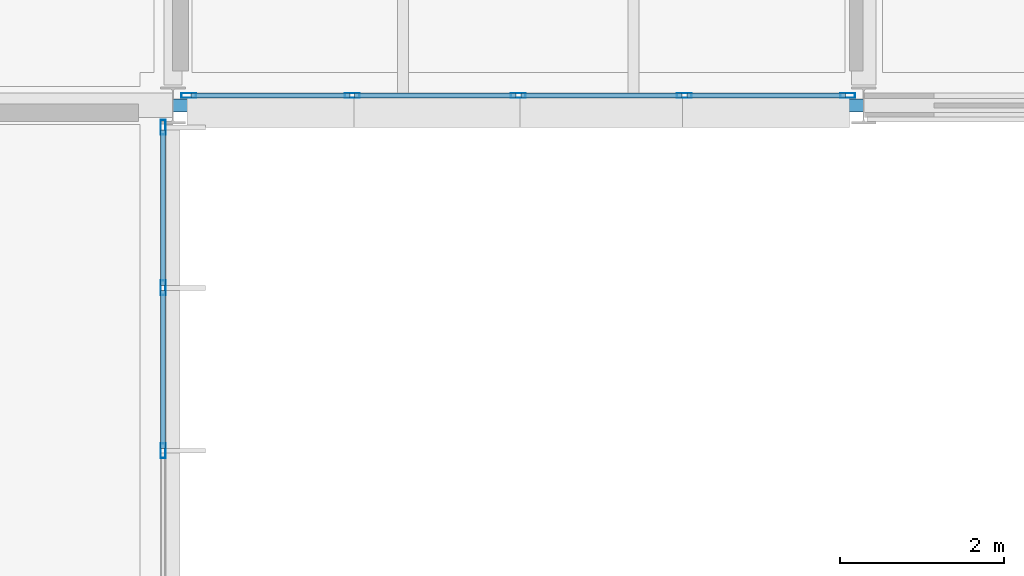
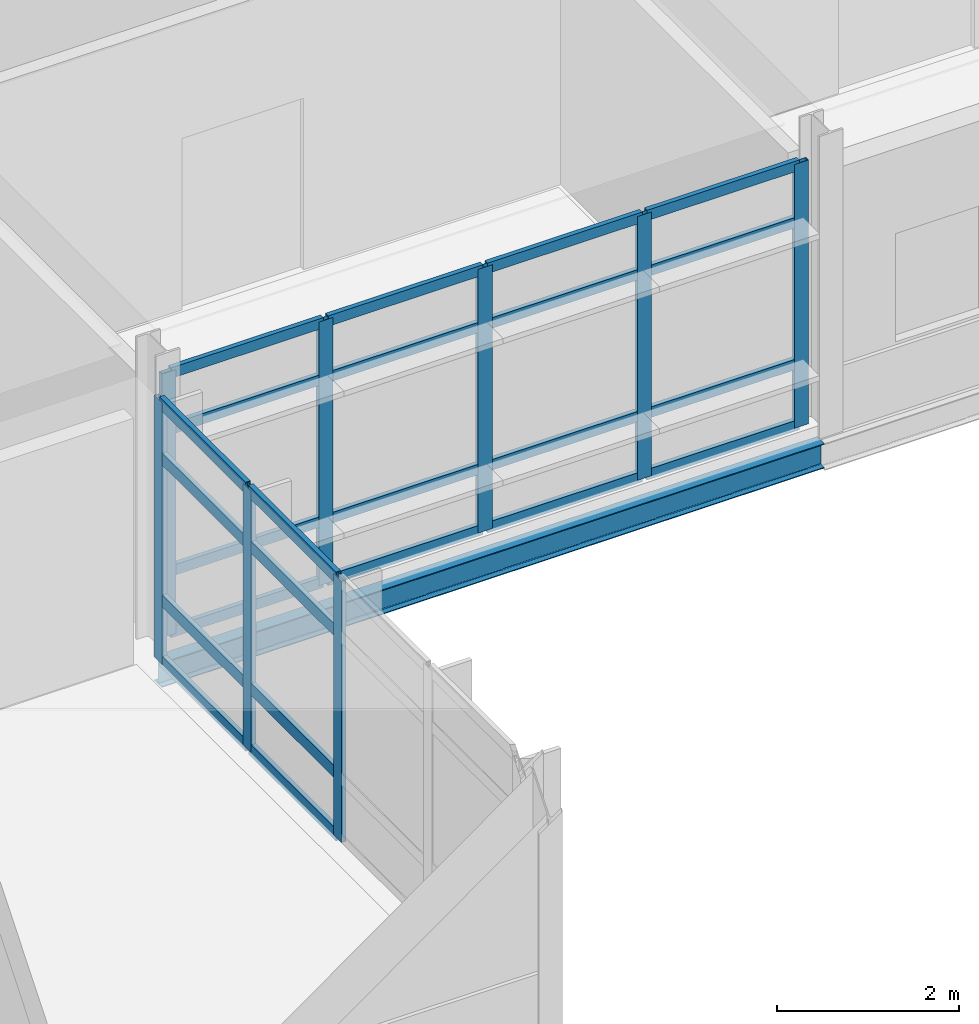
# One storey, part 49 of 131: 32 members, 1 beam, 2 elements without a shape of their own.
"""IFC4 building model written with IfcOpenShell, lengths in metres."""

import ifcopenshell
import ifcopenshell.guid

model = None  # the IFC model being written
_history = None  # IfcOwnerHistory: only IFC2X3 demands one
_inside = {}  # id of a spatial element -> (the spatial element, [elements in it])
_under = {}  # id of a project, library or spatial element -> (it, [spatial elements below it])
_declared = {}  # id of a project -> (the project, [libraries it declares])
_typed = {}  # id of a type object -> (the type object, [elements of that type])
_made_of = {}  # id of a material, layer set ... -> (it, [elements and type objects made of it])


def new_model(schema):
    """Start an empty IFC model of exactly this schema.

    Asked for "IFC4X3", IfcOpenShell would pick the latest addendum, in which some entities
    have other attributes; the version numbers below select the first issue.
    IFC2X3 requires an IfcOwnerHistory on every rooted entity: one is made here for all.
    """
    global model, _history
    if schema == "IFC4X3":
        model = ifcopenshell.file(schema_version=(4, 3, 0, 0))
    else:
        model = ifcopenshell.file(schema=schema)
    _inside.clear()
    _under.clear()
    _declared.clear()
    _typed.clear()
    _made_of.clear()
    _history = None
    if model.schema == "IFC2X3":
        org = make("IfcOrganization", Name="unknown")
        user = make(
            "IfcPersonAndOrganization",
            ThePerson=make("IfcPerson", FamilyName="unknown"),
            TheOrganization=org,
        )
        app = make(
            "IfcApplication",
            ApplicationDeveloper=org,
            Version="unknown",
            ApplicationFullName="unknown",
            ApplicationIdentifier="unknown",
        )
        _history = make(
            "IfcOwnerHistory",
            OwningUser=user,
            OwningApplication=app,
            ChangeAction="ADDED",
            CreationDate=0,
        )
    return model


def make(cls, **values):
    """One entity of the class cls with the attributes given. An attribute that is None is left unset."""
    return model.create_entity(
        cls, **{name: value for name, value in values.items() if value is not None}
    )


def rooted(cls, **values):
    """An entity with a GlobalId (a new one), such as an element, a storey or a relation."""
    return make(cls, GlobalId=ifcopenshell.guid.new(), OwnerHistory=_history, **values)


def si_unit(unit_type, name, prefix=None):
    """IfcSIUnit, for example si_unit("LENGTHUNIT", "METRE", prefix="MILLI")."""
    return make("IfcSIUnit", UnitType=unit_type, Prefix=prefix, Name=name)


def assignment(units):
    """IfcUnitAssignment: the units of a project."""
    return None if units is None else make("IfcUnitAssignment", Units=units)


def point(xyz):
    """IfcCartesianPoint."""
    return None if xyz is None else make("IfcCartesianPoint", Coordinates=xyz)


def direction(xyz):
    """IfcDirection."""
    return None if xyz is None else make("IfcDirection", DirectionRatios=xyz)


def frame(location, z_axis=None, x_axis=None):
    """IfcAxis2Placement3D, a coordinate frame: its origin and axes. An axis left out is left unset."""
    return make(
        "IfcAxis2Placement3D",
        Location=point(location),
        Axis=direction(z_axis),
        RefDirection=direction(x_axis),
    )


def frame_2d(location, x_axis=None):
    """IfcAxis2Placement2D, a coordinate frame in the plane: its origin and x axis."""
    return make(
        "IfcAxis2Placement2D", Location=point(location), RefDirection=direction(x_axis)
    )


def origin():
    """The frame at (0, 0, 0) with its axes left unset."""
    return frame((0.0, 0.0, 0.0))


def origin_2d():
    """The frame at (0, 0) in the plane with its x axis left unset."""
    return frame_2d((0.0, 0.0))


def place(relative_to, where):
    """IfcLocalPlacement: puts the frame where relative to a parent placement (None: the world)."""
    return make(
        "IfcLocalPlacement", PlacementRelTo=relative_to, RelativePlacement=where
    )


def context(
    kind, dimensions, precision=None, world=None, true_north=None, identifier=None
):
    """IfcGeometricRepresentationContext, for example the 3D "Model" context."""
    return make(
        "IfcGeometricRepresentationContext",
        ContextIdentifier=identifier,
        ContextType=kind,
        CoordinateSpaceDimension=dimensions,
        Precision=precision,
        WorldCoordinateSystem=world,
        TrueNorth=true_north,
    )


def subcontext(parent, identifier, kind, view, scale=None):
    """IfcGeometricRepresentationSubContext, for example "Body" below "Model"."""
    return make(
        "IfcGeometricRepresentationSubContext",
        ContextIdentifier=identifier,
        ContextType=kind,
        ParentContext=parent,
        TargetScale=scale,
        TargetView=view,
    )


def project(units=None, contexts=None):
    """IfcProject with its units and contexts."""
    return rooted(
        "IfcProject",
        Name="project",
        RepresentationContexts=contexts,
        UnitsInContext=assignment(units),
    )


def spatial(cls, under=None, at=None, **own):
    """A site, building, storey or space (cls), placed at a placement, below another one or the project."""
    s = rooted(cls, ObjectPlacement=at, **own)
    if under is not None:
        _under.setdefault(under.id(), (under, []))[1].append(s)
    return s


def profile(cls, at=None, kind="AREA", **sizes):
    """A parametric profile (cls). Its sizes go by their IFC names, for example OverallWidth=200.0."""
    return make(cls, ProfileType=kind, Position=at, **sizes)


def hollow_rectangle(**sizes):
    """IfcRectangleHollowProfileDef."""
    return profile("IfcRectangleHollowProfileDef", **sizes)


def i_section(**sizes):
    """IfcIShapeProfileDef."""
    return profile("IfcIShapeProfileDef", **sizes)


def extrude(swept, where, along, depth):
    """IfcExtrudedAreaSolid: the profile swept, set in the frame where, extruded along a direction by depth."""
    return make(
        "IfcExtrudedAreaSolid",
        SweptArea=swept,
        Position=where,
        ExtrudedDirection=direction(along),
        Depth=depth,
    )


def shape(context_of_items, identifier, shape_type, items):
    """IfcShapeRepresentation: the items that make up one representation, for example the "Body"."""
    return make(
        "IfcShapeRepresentation",
        ContextOfItems=context_of_items,
        RepresentationIdentifier=identifier,
        RepresentationType=shape_type,
        Items=items,
    )


def material(Name=None, Category=None):
    """IfcMaterial."""
    return make("IfcMaterial", Name=Name, Category=Category)


def material_profile(
    of_material, cross_section, Name=None, Category=None, Priority=None
):
    """IfcMaterialProfile: a cross section and its material."""
    return make(
        "IfcMaterialProfile",
        Name=Name,
        Material=of_material,
        Profile=cross_section,
        Priority=Priority,
        Category=Category,
    )


def profile_set(profiles, Name=None, composite=None):
    """IfcMaterialProfileSet."""
    return make(
        "IfcMaterialProfileSet",
        Name=Name,
        MaterialProfiles=profiles,
        CompositeProfile=composite,
    )


def made_of(thing, what):
    """Note that an element or type object is made of a material, layer set ...; save() writes the relation."""
    if what is not None:
        _made_of.setdefault(what.id(), (what, []))[1].append(thing)
    return thing


def type_object(cls, material=None, **own):
    """A type object (cls), such as IfcWallType, which elements share."""
    return made_of(rooted(cls, **own), material)


def element(
    cls,
    number,
    at=None,
    inside=None,
    cuts=None,
    type_object=None,
    material=None,
    context=None,
    identifier="Body",
    shape_type=None,
    held_by="IfcProductDefinitionShape",
    body=None,
    shapes=None,
    **own,
):
    """One element of the class cls, such as IfcWall. Its Tag is "e" and its number.

    at: its placement. inside: the storey or other place that contains it. cuts: it is an
    opening in that element (IfcRelVoidsElement). A single representation is given by context,
    identifier, shape_type and body (its items); several are given by shapes. held_by: the class
    of the entity that holds the representations. save() writes the other relations.
    """
    e = rooted(cls, Tag="e%d" % number, ObjectPlacement=at, **own)
    if body is not None:
        shapes = [shape(context, identifier, shape_type, body)]
    if shapes is not None:
        e.Representation = make(held_by, Representations=shapes)
    if inside is not None:
        _inside.setdefault(inside.id(), (inside, []))[1].append(e)
    if cuts is not None:
        rooted(
            "IfcRelVoidsElement", RelatingBuildingElement=cuts, RelatedOpeningElement=e
        )
    if type_object is not None:
        _typed.setdefault(type_object.id(), (type_object, []))[1].append(e)
    return made_of(e, material)


def aggregate(whole, parts):
    """IfcRelAggregates: a whole, such as a stair, and the parts it consists of."""
    return rooted("IfcRelAggregates", RelatingObject=whole, RelatedObjects=parts)


def save(model, path):
    """Write the relations noted so far, then the file.

    IfcRelAggregates (storeys below a building ...), IfcRelContainedInSpatialStructure (elements
    in a storey), IfcRelDefinesByType, IfcRelAssociatesMaterial and IfcRelDeclares: one each for
    every whole, place, type object, material and project.
    """
    for whole, parts in _under.values():
        aggregate(whole, parts)
    for where, things in _inside.values():
        rooted(
            "IfcRelContainedInSpatialStructure",
            RelatedElements=things,
            RelatingStructure=where,
        )
    for kind, things in _typed.values():
        rooted("IfcRelDefinesByType", RelatedObjects=things, RelatingType=kind)
    for what, things in _made_of.values():
        rooted("IfcRelAssociatesMaterial", RelatedObjects=things, RelatingMaterial=what)
    for by, libraries in _declared.values():
        rooted("IfcRelDeclares", RelatingContext=by, RelatedDefinitions=libraries)
    model.write(path)


model = new_model("IFC4")

# Units and contexts
model_context = context("Model", 3, precision=1e-05, world=origin(), true_north=direction((0.0, 1.0)))
body_context = subcontext(model_context, "Body", "Model", "MODEL_VIEW")
ifc_project = project(units=[si_unit("LENGTHUNIT", "METRE"), si_unit("AREAUNIT", "SQUARE_METRE"), si_unit("VOLUMEUNIT", "CUBIC_METRE"), si_unit("PLANEANGLEUNIT", "RADIAN"), si_unit("MASSUNIT", "GRAM", prefix="KILO")], contexts=[model_context])

# Site, building, storey
site_placement = place(None, origin())
site = spatial("IfcSite", under=ifc_project, at=site_placement, CompositionType="ELEMENT")
building_placement = place(site_placement, origin())
building = spatial("IfcBuilding", under=site, at=building_placement, Name="Mersafa Astral City Hall", CompositionType="ELEMENT")
storey_placement = place(building_placement, frame((0.0, 0.0, 13.949951171875)))
storey = spatial("IfcBuildingStorey", under=building, at=storey_placement, Name="L03", CompositionType="ELEMENT", Elevation=13.949951171875)

# Curtain wall, members
ifc_material_1 = material(Name="Anodised bronze aluminium framing", Category="aluminium")
curtain_wall_type_1 = type_object("IfcCurtainWallType", Name="ENV-CW-5", PredefinedType="USERDEFINED", material=ifc_material_1)
curtain_wall_1_placement = place(storey_placement, origin())
curtain_wall_1 = element("IfcCurtainWall", 1, at=curtain_wall_1_placement, inside=storey, type_object=curtain_wall_type_1, Name="L03 Unitised solar curtain wall 178", ObjectType="UNITISED CURTAIN WALL", PredefinedType="USERDEFINED")
ifc_material_profile_1 = material_profile(ifc_material_1, hollow_rectangle(XDim=0.06005859375, YDim=0.179931640625, WallThickness=0.00390625, at=origin_2d()), Name="RHS 60x180x4")
ifc_profile_set_1 = profile_set([ifc_material_profile_1], Name="Anodised bronze aluminium framing")
member_type_1 = type_object("IfcMemberType", Name="ENV-CW-MUL-1", PredefinedType="MULLION", material=ifc_profile_set_1)
member_1_placement = place(storey_placement, frame((58.679931640625, 113.39990234375, -0.001953125), z_axis=(0.0, 0.0, 1.0), x_axis=(-1.0, 0.0, 0.0)))
member_1 = element("IfcMember", 2, at=member_1_placement, type_object=member_type_1, Name="CW-5 mullion 3", PredefinedType="MULLION", context=body_context, shape_type="SweptSolid", body=[
    extrude(hollow_rectangle(XDim=0.06005859375, YDim=0.179931640625, WallThickness=0.00390625, at=origin_2d()), origin(), (0.0, 0.0, 1.0), 3.50390625),
])
member_2_placement = place(storey_placement, frame((58.679931640625, 115.381591796875, -0.001953125), z_axis=(0.0, 0.0, 1.0), x_axis=(-1.0, 0.0, 0.0)))
member_2 = element("IfcMember", 3, at=member_2_placement, type_object=member_type_1, Name="CW-5 mullion 4", PredefinedType="MULLION", context=body_context, shape_type="SweptSolid", body=[
    extrude(hollow_rectangle(XDim=0.06005859375, YDim=0.179931640625, WallThickness=0.00390625, at=origin_2d()), origin(), (0.0, 0.0, 1.0), 3.50390625),
])
member_3_placement = place(storey_placement, frame((58.679931640625, 117.3330078125, -0.001953125), z_axis=(0.0, 0.0, 1.0), x_axis=(-1.0, 0.0, 0.0)))
member_3 = element("IfcMember", 4, at=member_3_placement, type_object=member_type_1, Name="CW-5 mullion 5", PredefinedType="MULLION", context=body_context, shape_type="SweptSolid", body=[
    extrude(hollow_rectangle(XDim=0.06005859375, YDim=0.179931640625, WallThickness=0.00390625, at=origin_2d()), origin(), (0.0, 0.0, 1.0), 3.50390625),
])

curtain_wall_type_2 = type_object("IfcCurtainWallType", Name="ENV-CW-6", PredefinedType="USERDEFINED", material=ifc_material_1)
curtain_wall_2_placement = place(storey_placement, origin())
curtain_wall_2 = element("IfcCurtainWall", 5, at=curtain_wall_2_placement, inside=storey, type_object=curtain_wall_type_2, Name="L03 Unitised solar curtain wall 179", ObjectType="UNITISED CURTAIN WALL", PredefinedType="USERDEFINED")
member_4_placement = place(storey_placement, frame((58.991943359375, 117.719970703125, -0.001953125), z_axis=(0.0, 0.0, 1.0), x_axis=(0.0, 1.0, 0.0)))
member_4 = element("IfcMember", 6, at=member_4_placement, type_object=member_type_1, Name="CW-6 mullion 1", PredefinedType="MULLION", context=body_context, shape_type="SweptSolid", body=[
    extrude(hollow_rectangle(XDim=0.06005859375, YDim=0.179931640625, WallThickness=0.00390625, at=origin_2d()), origin(), (0.0, 0.0, 1.0), 3.533935546875),
])
member_5_placement = place(storey_placement, frame((60.98095703125, 117.719970703125, -0.001953125), z_axis=(0.0, 0.0, 1.0), x_axis=(0.0, 1.0, 0.0)))
member_5 = element("IfcMember", 7, at=member_5_placement, type_object=member_type_1, Name="CW-6 mullion 2", PredefinedType="MULLION", context=body_context, shape_type="SweptSolid", body=[
    extrude(hollow_rectangle(XDim=0.06005859375, YDim=0.179931640625, WallThickness=0.00390625, at=origin_2d()), origin(), (0.0, 0.0, 1.0), 3.533935546875),
])
member_6_placement = place(storey_placement, frame((63.0, 117.719970703125, -0.001953125), z_axis=(0.0, 0.0, 1.0), x_axis=(0.0, 1.0, 0.0)))
member_6 = element("IfcMember", 8, at=member_6_placement, type_object=member_type_1, Name="CW-6 mullion 3", PredefinedType="MULLION", context=body_context, shape_type="SweptSolid", body=[
    extrude(hollow_rectangle(XDim=0.06005859375, YDim=0.179931640625, WallThickness=0.00390625, at=origin_2d()), origin(), (0.0, 0.0, 1.0), 3.533935546875),
])
member_7_placement = place(storey_placement, frame((65.01904296875, 117.719970703125, -0.001953125), z_axis=(0.0, 0.0, 1.0), x_axis=(0.0, 1.0, 0.0)))
member_7 = element("IfcMember", 9, at=member_7_placement, type_object=member_type_1, Name="CW-6 mullion 4", PredefinedType="MULLION", context=body_context, shape_type="SweptSolid", body=[
    extrude(hollow_rectangle(XDim=0.06005859375, YDim=0.179931640625, WallThickness=0.00390625, at=origin_2d()), origin(), (0.0, 0.0, 1.0), 3.533935546875),
])
member_8_placement = place(storey_placement, frame((67.008056640625, 117.719970703125, -0.001953125), z_axis=(0.0, 0.0, 1.0), x_axis=(0.0, 1.0, 0.0)))
member_8 = element("IfcMember", 10, at=member_8_placement, type_object=member_type_1, Name="CW-6 mullion 5", PredefinedType="MULLION", context=body_context, shape_type="SweptSolid", body=[
    extrude(hollow_rectangle(XDim=0.06005859375, YDim=0.179931640625, WallThickness=0.00390625, at=origin_2d()), origin(), (0.0, 0.0, 1.0), 3.533935546875),
])
ifc_material_profile_2 = material_profile(ifc_material_1, hollow_rectangle(XDim=0.06005859375, YDim=0.139892578125, WallThickness=0.00390625, at=origin_2d()), Name="RHS 60x140x4")
ifc_profile_set_2 = profile_set([ifc_material_profile_2], Name="Anodised bronze aluminium framing")
member_type_2 = type_object("IfcMemberType", Name="ENV-CW-TRN-1", PredefinedType="USERDEFINED", material=ifc_profile_set_2)
member_9_placement = place(storey_placement, frame((59.02197265625, 117.719970703125, 0.028076171875), z_axis=(1.0, 0.0, 0.0), x_axis=(0.0, 1.0, 0.0)))
member_9 = element("IfcMember", 11, at=member_9_placement, type_object=member_type_2, Name="CW-6 transom 1.1", ObjectType="TRANSOM", PredefinedType="USERDEFINED", context=body_context, shape_type="SweptSolid", body=[
    extrude(hollow_rectangle(XDim=0.06005859375, YDim=0.139892578125, WallThickness=0.00390625, at=origin_2d()), origin(), (0.0, 0.0, 1.0), 1.928955078125),
])
member_10_placement = place(storey_placement, frame((59.02197265625, 117.719970703125, 0.85009765625), z_axis=(1.0, 0.0, 0.0), x_axis=(0.0, 1.0, 0.0)))
member_10 = element("IfcMember", 12, at=member_10_placement, type_object=member_type_2, Name="CW-6 transom 1.2", ObjectType="TRANSOM", PredefinedType="USERDEFINED", context=body_context, shape_type="SweptSolid", body=[
    extrude(hollow_rectangle(XDim=0.06005859375, YDim=0.139892578125, WallThickness=0.00390625, at=origin_2d()), origin(), (0.0, 0.0, 1.0), 1.928955078125),
])
member_11_placement = place(storey_placement, frame((59.02197265625, 117.719970703125, 2.75), z_axis=(1.0, 0.0, 0.0), x_axis=(0.0, 1.0, 0.0)))
member_11 = element("IfcMember", 13, at=member_11_placement, type_object=member_type_2, Name="CW-6 transom 1.3", ObjectType="TRANSOM", PredefinedType="USERDEFINED", context=body_context, shape_type="SweptSolid", body=[
    extrude(hollow_rectangle(XDim=0.06005859375, YDim=0.139892578125, WallThickness=0.00390625, at=origin_2d()), origin(), (0.0, 0.0, 1.0), 1.928955078125),
])
member_12_placement = place(storey_placement, frame((59.02197265625, 117.719970703125, 3.501953125), z_axis=(1.0, 0.0, 0.0), x_axis=(0.0, 1.0, 0.0)))
member_12 = element("IfcMember", 14, at=member_12_placement, type_object=member_type_2, Name="CW-6 transom 1.4", ObjectType="TRANSOM", PredefinedType="USERDEFINED", context=body_context, shape_type="SweptSolid", body=[
    extrude(hollow_rectangle(XDim=0.06005859375, YDim=0.139892578125, WallThickness=0.00390625, at=origin_2d()), origin(), (0.0, 0.0, 1.0), 1.928955078125),
])
member_13_placement = place(storey_placement, frame((61.010986328125, 117.719970703125, 0.028076171875), z_axis=(1.0, 0.0, 0.0), x_axis=(0.0, 1.0, 0.0)))
member_13 = element("IfcMember", 15, at=member_13_placement, type_object=member_type_2, Name="CW-6 transom 2.1", ObjectType="TRANSOM", PredefinedType="USERDEFINED", context=body_context, shape_type="SweptSolid", body=[
    extrude(hollow_rectangle(XDim=0.06005859375, YDim=0.139892578125, WallThickness=0.00390625, at=origin_2d()), origin(), (0.0, 0.0, 1.0), 1.958984375),
])
member_14_placement = place(storey_placement, frame((61.010986328125, 117.719970703125, 0.85009765625), z_axis=(1.0, 0.0, 0.0), x_axis=(0.0, 1.0, 0.0)))
member_14 = element("IfcMember", 16, at=member_14_placement, type_object=member_type_2, Name="CW-6 transom 2.2", ObjectType="TRANSOM", PredefinedType="USERDEFINED", context=body_context, shape_type="SweptSolid", body=[
    extrude(hollow_rectangle(XDim=0.06005859375, YDim=0.139892578125, WallThickness=0.00390625, at=origin_2d()), origin(), (0.0, 0.0, 1.0), 1.958984375),
])
member_15_placement = place(storey_placement, frame((61.010986328125, 117.719970703125, 2.75), z_axis=(1.0, 0.0, 0.0), x_axis=(0.0, 1.0, 0.0)))
member_15 = element("IfcMember", 17, at=member_15_placement, type_object=member_type_2, Name="CW-6 transom 2.3", ObjectType="TRANSOM", PredefinedType="USERDEFINED", context=body_context, shape_type="SweptSolid", body=[
    extrude(hollow_rectangle(XDim=0.06005859375, YDim=0.139892578125, WallThickness=0.00390625, at=origin_2d()), origin(), (0.0, 0.0, 1.0), 1.958984375),
])
member_16_placement = place(storey_placement, frame((61.010986328125, 117.719970703125, 3.501953125), z_axis=(1.0, 0.0, 0.0), x_axis=(0.0, 1.0, 0.0)))
member_16 = element("IfcMember", 18, at=member_16_placement, type_object=member_type_2, Name="CW-6 transom 2.4", ObjectType="TRANSOM", PredefinedType="USERDEFINED", context=body_context, shape_type="SweptSolid", body=[
    extrude(hollow_rectangle(XDim=0.06005859375, YDim=0.139892578125, WallThickness=0.00390625, at=origin_2d()), origin(), (0.0, 0.0, 1.0), 1.958984375),
])
member_17_placement = place(storey_placement, frame((63.030029296875, 117.719970703125, 0.028076171875), z_axis=(1.0, 0.0, 0.0), x_axis=(0.0, 1.0, 0.0)))
member_17 = element("IfcMember", 19, at=member_17_placement, type_object=member_type_2, Name="CW-6 transom 3.1", ObjectType="TRANSOM", PredefinedType="USERDEFINED", context=body_context, shape_type="SweptSolid", body=[
    extrude(hollow_rectangle(XDim=0.06005859375, YDim=0.139892578125, WallThickness=0.00390625, at=origin_2d()), origin(), (0.0, 0.0, 1.0), 1.958984375),
])
member_18_placement = place(storey_placement, frame((63.030029296875, 117.719970703125, 0.85009765625), z_axis=(1.0, 0.0, 0.0), x_axis=(0.0, 1.0, 0.0)))
member_18 = element("IfcMember", 20, at=member_18_placement, type_object=member_type_2, Name="CW-6 transom 3.2", ObjectType="TRANSOM", PredefinedType="USERDEFINED", context=body_context, shape_type="SweptSolid", body=[
    extrude(hollow_rectangle(XDim=0.06005859375, YDim=0.139892578125, WallThickness=0.00390625, at=origin_2d()), origin(), (0.0, 0.0, 1.0), 1.958984375),
])
member_19_placement = place(storey_placement, frame((63.030029296875, 117.719970703125, 2.75), z_axis=(1.0, 0.0, 0.0), x_axis=(0.0, 1.0, 0.0)))
member_19 = element("IfcMember", 21, at=member_19_placement, type_object=member_type_2, Name="CW-6 transom 3.3", ObjectType="TRANSOM", PredefinedType="USERDEFINED", context=body_context, shape_type="SweptSolid", body=[
    extrude(hollow_rectangle(XDim=0.06005859375, YDim=0.139892578125, WallThickness=0.00390625, at=origin_2d()), origin(), (0.0, 0.0, 1.0), 1.958984375),
])
member_20_placement = place(storey_placement, frame((63.030029296875, 117.719970703125, 3.501953125), z_axis=(1.0, 0.0, 0.0), x_axis=(0.0, 1.0, 0.0)))
member_20 = element("IfcMember", 22, at=member_20_placement, type_object=member_type_2, Name="CW-6 transom 3.4", ObjectType="TRANSOM", PredefinedType="USERDEFINED", context=body_context, shape_type="SweptSolid", body=[
    extrude(hollow_rectangle(XDim=0.06005859375, YDim=0.139892578125, WallThickness=0.00390625, at=origin_2d()), origin(), (0.0, 0.0, 1.0), 1.958984375),
])
member_21_placement = place(storey_placement, frame((65.049072265625, 117.719970703125, 0.028076171875), z_axis=(1.0, 0.0, 0.0), x_axis=(0.0, 1.0, 0.0)))
member_21 = element("IfcMember", 23, at=member_21_placement, type_object=member_type_2, Name="CW-6 transom 4.1", ObjectType="TRANSOM", PredefinedType="USERDEFINED", context=body_context, shape_type="SweptSolid", body=[
    extrude(hollow_rectangle(XDim=0.06005859375, YDim=0.139892578125, WallThickness=0.00390625, at=origin_2d()), origin(), (0.0, 0.0, 1.0), 1.928955078125),
])
member_22_placement = place(storey_placement, frame((65.049072265625, 117.719970703125, 0.85009765625), z_axis=(1.0, 0.0, 0.0), x_axis=(0.0, 1.0, 0.0)))
member_22 = element("IfcMember", 24, at=member_22_placement, type_object=member_type_2, Name="CW-6 transom 4.2", ObjectType="TRANSOM", PredefinedType="USERDEFINED", context=body_context, shape_type="SweptSolid", body=[
    extrude(hollow_rectangle(XDim=0.06005859375, YDim=0.139892578125, WallThickness=0.00390625, at=origin_2d()), origin(), (0.0, 0.0, 1.0), 1.928955078125),
])
member_23_placement = place(storey_placement, frame((65.049072265625, 117.719970703125, 2.75), z_axis=(1.0, 0.0, 0.0), x_axis=(0.0, 1.0, 0.0)))
member_23 = element("IfcMember", 25, at=member_23_placement, type_object=member_type_2, Name="CW-6 transom 4.3", ObjectType="TRANSOM", PredefinedType="USERDEFINED", context=body_context, shape_type="SweptSolid", body=[
    extrude(hollow_rectangle(XDim=0.06005859375, YDim=0.139892578125, WallThickness=0.00390625, at=origin_2d()), origin(), (0.0, 0.0, 1.0), 1.928955078125),
])
member_24_placement = place(storey_placement, frame((65.049072265625, 117.719970703125, 3.501953125), z_axis=(1.0, 0.0, 0.0), x_axis=(0.0, 1.0, 0.0)))
member_24 = element("IfcMember", 26, at=member_24_placement, type_object=member_type_2, Name="CW-6 transom 4.4", ObjectType="TRANSOM", PredefinedType="USERDEFINED", context=body_context, shape_type="SweptSolid", body=[
    extrude(hollow_rectangle(XDim=0.06005859375, YDim=0.139892578125, WallThickness=0.00390625, at=origin_2d()), origin(), (0.0, 0.0, 1.0), 1.928955078125),
])
aggregate(curtain_wall_2, [member_4, member_5, member_6, member_7, member_8, member_9, member_10, member_11, member_12, member_13, member_14, member_15, member_16, member_17, member_18, member_19, member_20, member_21, member_22, member_23, member_24])

# Member
ifc_material_profile_3 = material_profile(ifc_material_1, hollow_rectangle(XDim=0.06005859375, YDim=0.159912109375, WallThickness=0.00390625, at=origin_2d()), Name="RHS 60x160x4")
ifc_profile_set_3 = profile_set([ifc_material_profile_3], Name="Anodised bronze aluminium framing")
member_type_3 = type_object("IfcMemberType", Name="ENV-CW-TRN-2", PredefinedType="USERDEFINED", material=ifc_profile_set_3)
member_25_placement = place(storey_placement, frame((58.679931640625, 113.429931640625, 0.028076171875), z_axis=(0.0, 1.0, 0.0), x_axis=(-1.0, 0.0, 0.0)))
member_25 = element("IfcMember", 27, at=member_25_placement, type_object=member_type_3, Name="CW-5 transom 3.1", ObjectType="TRANSOM", PredefinedType="USERDEFINED", context=body_context, shape_type="SweptSolid", body=[
    extrude(hollow_rectangle(XDim=0.06005859375, YDim=0.159912109375, WallThickness=0.00390625, at=origin_2d()), origin(), (0.0, 0.0, 1.0), 1.921630859375),
])

member_26_placement = place(storey_placement, frame((58.679931640625, 113.429931640625, 0.85009765625), z_axis=(0.0, 1.0, 0.0), x_axis=(-1.0, 0.0, 0.0)))
member_26 = element("IfcMember", 28, at=member_26_placement, type_object=member_type_3, Name="CW-5 transom 3.2", ObjectType="TRANSOM", PredefinedType="USERDEFINED", context=body_context, shape_type="SweptSolid", body=[
    extrude(hollow_rectangle(XDim=0.06005859375, YDim=0.159912109375, WallThickness=0.00390625, at=origin_2d()), origin(), (0.0, 0.0, 1.0), 1.921630859375),
])

member_27_placement = place(storey_placement, frame((58.679931640625, 113.429931640625, 2.75), z_axis=(0.0, 1.0, 0.0), x_axis=(-1.0, 0.0, 0.0)))
member_27 = element("IfcMember", 29, at=member_27_placement, type_object=member_type_3, Name="CW-5 transom 3.3", ObjectType="TRANSOM", PredefinedType="USERDEFINED", context=body_context, shape_type="SweptSolid", body=[
    extrude(hollow_rectangle(XDim=0.06005859375, YDim=0.159912109375, WallThickness=0.00390625, at=origin_2d()), origin(), (0.0, 0.0, 1.0), 1.921630859375),
])

member_28_placement = place(storey_placement, frame((58.679931640625, 113.429931640625, 3.47216796875), z_axis=(0.0, 1.0, 0.0), x_axis=(-1.0, 0.0, 0.0)))
member_28 = element("IfcMember", 30, at=member_28_placement, type_object=member_type_3, Name="CW-5 transom 3.4", ObjectType="TRANSOM", PredefinedType="USERDEFINED", context=body_context, shape_type="SweptSolid", body=[
    extrude(hollow_rectangle(XDim=0.06005859375, YDim=0.159912109375, WallThickness=0.00390625, at=origin_2d()), origin(), (0.0, 0.0, 1.0), 1.921630859375),
])

member_29_placement = place(storey_placement, frame((58.679931640625, 115.41162109375, 0.028076171875), z_axis=(0.0, 1.0, 0.0), x_axis=(-1.0, 0.0, 0.0)))
member_29 = element("IfcMember", 31, at=member_29_placement, type_object=member_type_3, Name="CW-5 transom 4.1", ObjectType="TRANSOM", PredefinedType="USERDEFINED", context=body_context, shape_type="SweptSolid", body=[
    extrude(hollow_rectangle(XDim=0.06005859375, YDim=0.159912109375, WallThickness=0.00390625, at=origin_2d()), origin(), (0.0, 0.0, 1.0), 1.891357421875),
])

member_30_placement = place(storey_placement, frame((58.679931640625, 115.41162109375, 0.85009765625), z_axis=(0.0, 1.0, 0.0), x_axis=(-1.0, 0.0, 0.0)))
member_30 = element("IfcMember", 32, at=member_30_placement, type_object=member_type_3, Name="CW-5 transom 4.2", ObjectType="TRANSOM", PredefinedType="USERDEFINED", context=body_context, shape_type="SweptSolid", body=[
    extrude(hollow_rectangle(XDim=0.06005859375, YDim=0.159912109375, WallThickness=0.00390625, at=origin_2d()), origin(), (0.0, 0.0, 1.0), 1.891357421875),
])

member_31_placement = place(storey_placement, frame((58.679931640625, 115.41162109375, 2.75), z_axis=(0.0, 1.0, 0.0), x_axis=(-1.0, 0.0, 0.0)))
member_31 = element("IfcMember", 33, at=member_31_placement, type_object=member_type_3, Name="CW-5 transom 4.3", ObjectType="TRANSOM", PredefinedType="USERDEFINED", context=body_context, shape_type="SweptSolid", body=[
    extrude(hollow_rectangle(XDim=0.06005859375, YDim=0.159912109375, WallThickness=0.00390625, at=origin_2d()), origin(), (0.0, 0.0, 1.0), 1.891357421875),
])

member_32_placement = place(storey_placement, frame((58.679931640625, 115.41162109375, 3.47216796875), z_axis=(0.0, 1.0, 0.0), x_axis=(-1.0, 0.0, 0.0)))
member_32 = element("IfcMember", 34, at=member_32_placement, type_object=member_type_3, Name="CW-5 transom 4.4", ObjectType="TRANSOM", PredefinedType="USERDEFINED", context=body_context, shape_type="SweptSolid", body=[
    extrude(hollow_rectangle(XDim=0.06005859375, YDim=0.159912109375, WallThickness=0.00390625, at=origin_2d()), origin(), (0.0, 0.0, 1.0), 1.891357421875),
])

aggregate(curtain_wall_1, [member_1, member_2, member_3, member_25, member_26, member_27, member_28, member_29, member_30, member_31, member_32])

# Beam
ifc_material_2 = material(Name="Steel S355", Category="steel")
ifc_material_profile_4 = material_profile(ifc_material_2, i_section(OverallWidth=0.159912109375, OverallDepth=0.330078125, WebThickness=0.007568359375, FlangeThickness=0.011474609375, FilletRadius=0.01806640625, at=origin_2d()), Name="IPE 330")
ifc_profile_set_4 = profile_set([ifc_material_profile_4], Name="Steel S355")
beam_type = type_object("IfcBeamType", Name="STR-BM-SPANDREL-IPE330", PredefinedType="SPANDREL", material=ifc_profile_set_4)
beam_placement = place(storey_placement, frame((58.802978515625, 117.60009765625, -0.364990234375), z_axis=(1.0, 0.0, 0.0), x_axis=(0.0, 1.0, 0.0)))
element("IfcBeam", 35, at=beam_placement, inside=storey, type_object=beam_type, Name="L03 Primary girder X 7-14", PredefinedType="SPANDREL", context=body_context, shape_type="SweptSolid", body=[
    extrude(i_section(OverallWidth=0.159912109375, OverallDepth=0.330078125, WebThickness=0.007568359375, FlangeThickness=0.011474609375, FilletRadius=0.01806640625, at=origin_2d()), origin(), (0.0, 0.0, 1.0), 8.39404296875),
])

save(model, "model.ifc")
